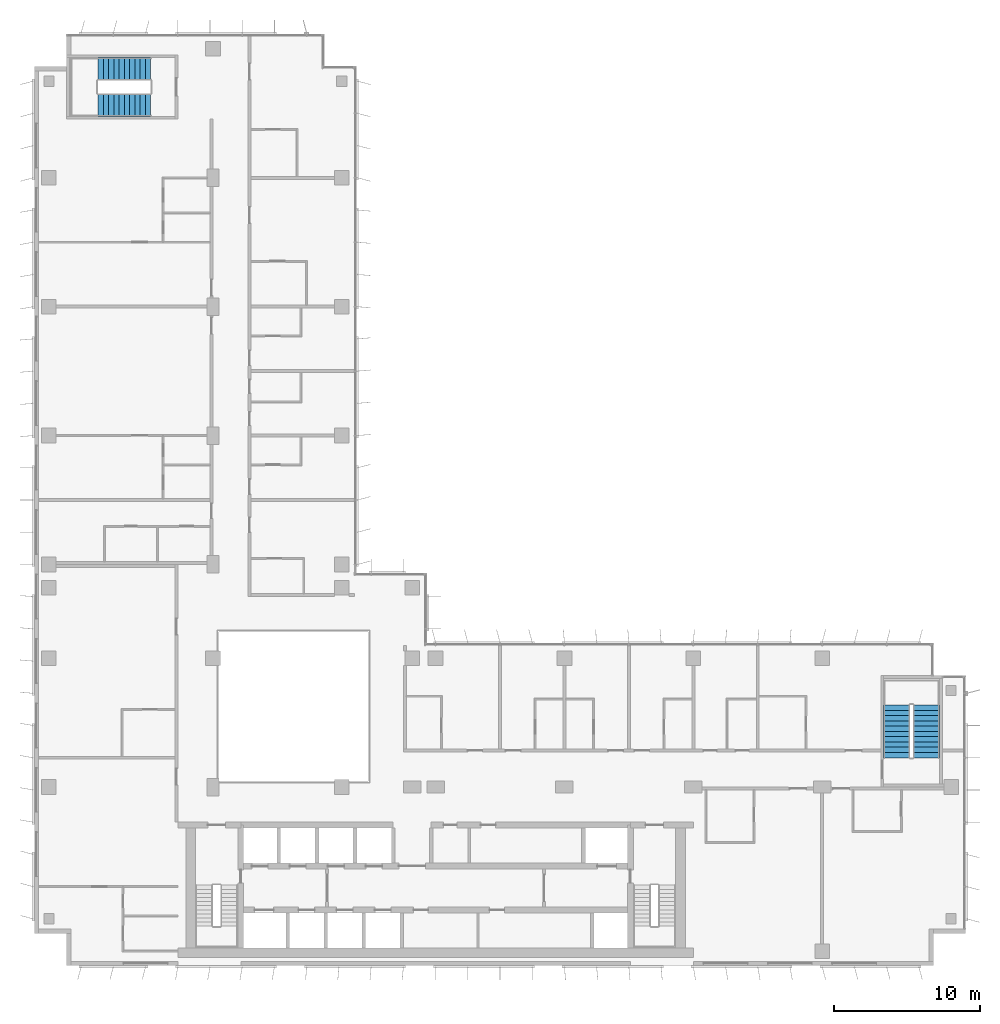
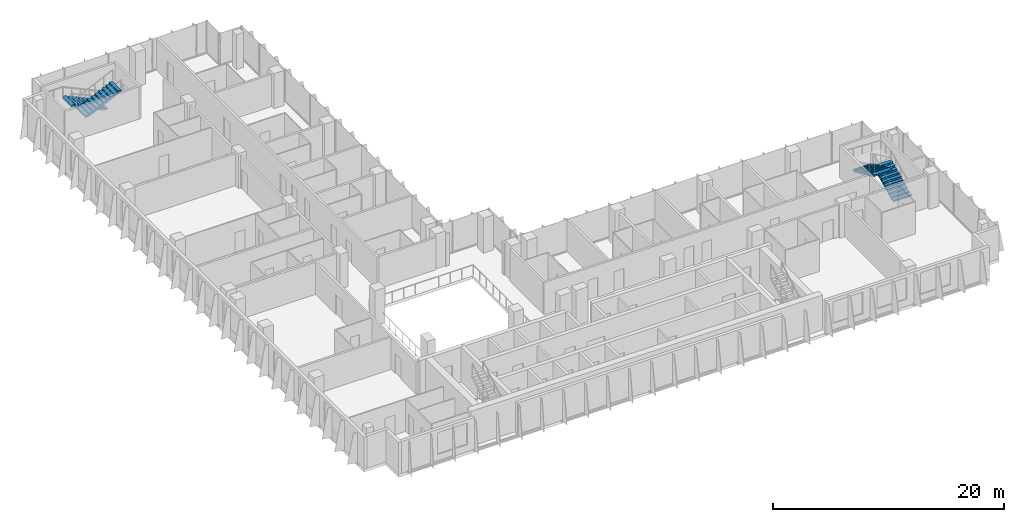
# One storey, part 18 of 21: 4 stair flights, 2 elements without a shape of their own.
"""IFC4 building model written with IfcOpenShell, lengths in metres."""

from ifc_helpers import new_model, si_unit, direction, frame, origin, place, context, subcontext, project, spatial, polyline, outline, extrude, material, type_object, element, aggregate, save


model = new_model("IFC4")

# Units and contexts
model_context = context("Model", 3, precision=1e-05, world=origin(), true_north=direction((0.0, 1.0)))
body_context = subcontext(model_context, "Body", "Model", "MODEL_VIEW")
ifc_project = project(units=[si_unit("LENGTHUNIT", "METRE"), si_unit("AREAUNIT", "SQUARE_METRE"), si_unit("VOLUMEUNIT", "CUBIC_METRE"), si_unit("PLANEANGLEUNIT", "RADIAN"), si_unit("MASSUNIT", "GRAM", prefix="KILO")], contexts=[model_context])

# Site, building, storey
site_placement = place(None, origin())
site = spatial("IfcSite", under=ifc_project, at=site_placement, CompositionType="ELEMENT")
building_placement = place(site_placement, origin())
building = spatial("IfcBuilding", under=site, at=building_placement, Name="Kemantara Hotel Tower", CompositionType="ELEMENT")
storey_placement = place(building_placement, frame((0.0, 0.0, 171.60009765625)))
storey = spatial("IfcBuildingStorey", under=building, at=storey_placement, Name="L42", CompositionType="ELEMENT", Elevation=171.60009765625)

# Stair, stair flights
ifc_material = material(Name="Concrete fc 40 MPa", Category="concrete")
stair_type_1 = type_object("IfcStairType", Name="Stair 1550 wide 22 risers of 168 x 360 mm", PredefinedType="HALF_TURN_STAIR", material=ifc_material)
stair_1_placement = place(storey_placement, origin())
stair_1 = element("IfcStair", 1, at=stair_1_placement, inside=storey, type_object=stair_type_1, Name="L42 Exit stair ST4", PredefinedType="HALF_TURN_STAIR")
stair_flight_type_1 = type_object("IfcStairFlightType", Name="Stair flight 1550 wide 168 x 360 mm", PredefinedType="STRAIGHT", material=ifc_material)
stair_flight_1_placement = place(storey_placement, frame((7.949951171875, 61.22509765625, 0.0), z_axis=(0.0, 0.0, 1.0), x_axis=(-1.0, 0.0, 0.0)))
stair_flight_1 = element("IfcStairFlight", 2, at=stair_flight_1_placement, type_object=stair_flight_type_1, Name="ST4 flight 1", NumberOfRisers=11, NumberOfTreads=10, PredefinedType="STRAIGHT", RiserHeight=0.168181818, TreadLength=0.36, context=body_context, shape_type="SweptSolid", body=[
    extrude(outline(polyline([(0.0, 0.0), (0.0, 0.168212890625), (0.360107421875, 0.168212890625), (0.360107421875, 0.33642578125), (0.719970703125, 0.33642578125), (0.719970703125, 0.504638671875), (1.080078125, 0.504638671875), (1.080078125, 0.672607421875), (1.43994140625, 0.672607421875), (1.43994140625, 0.8408203125), (1.800048828125, 0.8408203125), (1.800048828125, 1.009033203125), (2.159912109375, 1.009033203125), (2.159912109375, 1.17724609375), (2.52001953125, 1.17724609375), (2.52001953125, 1.345458984375), (2.8798828125, 1.345458984375), (2.8798828125, 1.513671875), (3.239990234375, 1.513671875), (3.239990234375, 1.681884765625), (3.60009765625, 1.681884765625), (3.60009765625, 1.85009765625), (3.60009765625, 1.516357421875), (0.354248046875, 0.0), (0.0, 0.0)])), frame((0.0, 0.77490234375, 0.0), z_axis=(0.0, -1.0, 0.0), x_axis=(1.0, 0.0, 0.0)), (0.0, 0.0, 1.0), 1.550048828125),
])
stair_flight_2_placement = place(storey_placement, frame((4.35009765625, 58.77490234375, 1.849853515625), z_axis=(0.0, 0.0, 1.0), x_axis=(1.0, 0.0, 0.0)))
stair_flight_2 = element("IfcStairFlight", 3, at=stair_flight_2_placement, type_object=stair_flight_type_1, Name="ST4 flight 2", NumberOfRisers=11, NumberOfTreads=10, PredefinedType="STRAIGHT", RiserHeight=0.168181818, TreadLength=0.36, context=body_context, shape_type="SweptSolid", body=[
    extrude(outline(polyline([(0.0, 0.0), (0.0, 0.168212890625), (0.360107421875, 0.168212890625), (0.360107421875, 0.33642578125), (0.719970703125, 0.33642578125), (0.719970703125, 0.504638671875), (1.080078125, 0.504638671875), (1.080078125, 0.672607421875), (1.43994140625, 0.672607421875), (1.43994140625, 0.8408203125), (1.800048828125, 0.8408203125), (1.800048828125, 1.009033203125), (2.159912109375, 1.009033203125), (2.159912109375, 1.17724609375), (2.52001953125, 1.17724609375), (2.52001953125, 1.345458984375), (2.8798828125, 1.345458984375), (2.8798828125, 1.513671875), (3.239990234375, 1.513671875), (3.239990234375, 1.681884765625), (3.60009765625, 1.681884765625), (3.60009765625, 1.85009765625), (3.60009765625, 1.516357421875), (0.354248046875, 0.0), (0.0, 0.0)])), frame((0.0, 0.77490234375, 0.0), z_axis=(0.0, -1.0, 0.0), x_axis=(1.0, 0.0, 0.0)), (0.0, 0.0, 1.0), 1.550048828125),
])
aggregate(stair_1, [stair_flight_1, stair_flight_2])

stair_type_2 = type_object("IfcStairType", Name="Stair 1800 wide 22 risers of 168 x 360 mm", PredefinedType="HALF_TURN_STAIR", material=ifc_material)
stair_2_placement = place(storey_placement, origin())
stair_2 = element("IfcStair", 4, at=stair_2_placement, inside=storey, type_object=stair_type_2, Name="L42 Exit stair ST3", PredefinedType="HALF_TURN_STAIR")
stair_flight_type_2 = type_object("IfcStairFlightType", Name="Stair flight 1800 wide 168 x 360 mm", PredefinedType="STRAIGHT", material=ifc_material)
stair_flight_3_placement = place(storey_placement, frame((60.89990234375, 14.199951171875, 0.0), z_axis=(0.0, 0.0, 1.0), x_axis=(0.0, 1.0, 0.0)))
stair_flight_3 = element("IfcStairFlight", 5, at=stair_flight_3_placement, type_object=stair_flight_type_2, Name="ST3 flight 1", NumberOfRisers=11, NumberOfTreads=10, PredefinedType="STRAIGHT", RiserHeight=0.168181818, TreadLength=0.36, context=body_context, shape_type="SweptSolid", body=[
    extrude(outline(polyline([(0.0, 0.0), (0.0, 0.168212890625), (0.360107421875, 0.168212890625), (0.360107421875, 0.33642578125), (0.719970703125, 0.33642578125), (0.719970703125, 0.504638671875), (1.080078125, 0.504638671875), (1.080078125, 0.672607421875), (1.43994140625, 0.672607421875), (1.43994140625, 0.8408203125), (1.800048828125, 0.8408203125), (1.800048828125, 1.009033203125), (2.159912109375, 1.009033203125), (2.159912109375, 1.17724609375), (2.52001953125, 1.17724609375), (2.52001953125, 1.345458984375), (2.8798828125, 1.345458984375), (2.8798828125, 1.513671875), (3.239990234375, 1.513671875), (3.239990234375, 1.681884765625), (3.60009765625, 1.681884765625), (3.60009765625, 1.85009765625), (3.60009765625, 1.516357421875), (0.354248046875, 0.0), (0.0, 0.0)])), frame((0.0, 0.89990234375, 0.0), z_axis=(0.0, -1.0, 0.0), x_axis=(1.0, 0.0, 0.0)), (0.0, 0.0, 1.0), 1.800048828125),
])
stair_flight_4_placement = place(storey_placement, frame((58.89990234375, 17.800048828125, 1.849853515625), z_axis=(0.0, 0.0, 1.0), x_axis=(0.0, -1.0, 0.0)))
stair_flight_4 = element("IfcStairFlight", 6, at=stair_flight_4_placement, type_object=stair_flight_type_2, Name="ST3 flight 2", NumberOfRisers=11, NumberOfTreads=10, PredefinedType="STRAIGHT", RiserHeight=0.168181818, TreadLength=0.36, context=body_context, shape_type="SweptSolid", body=[
    extrude(outline(polyline([(0.0, 0.0), (0.0, 0.168212890625), (0.360107421875, 0.168212890625), (0.360107421875, 0.33642578125), (0.719970703125, 0.33642578125), (0.719970703125, 0.504638671875), (1.080078125, 0.504638671875), (1.080078125, 0.672607421875), (1.43994140625, 0.672607421875), (1.43994140625, 0.8408203125), (1.800048828125, 0.8408203125), (1.800048828125, 1.009033203125), (2.159912109375, 1.009033203125), (2.159912109375, 1.17724609375), (2.52001953125, 1.17724609375), (2.52001953125, 1.345458984375), (2.8798828125, 1.345458984375), (2.8798828125, 1.513671875), (3.239990234375, 1.513671875), (3.239990234375, 1.681884765625), (3.60009765625, 1.681884765625), (3.60009765625, 1.85009765625), (3.60009765625, 1.516357421875), (0.354248046875, 0.0), (0.0, 0.0)])), frame((0.0, 0.89990234375, 0.0), z_axis=(0.0, -1.0, 0.0), x_axis=(1.0, 0.0, 0.0)), (0.0, 0.0, 1.0), 1.800048828125),
])
aggregate(stair_2, [stair_flight_3, stair_flight_4])

save(model, "model.ifc")
